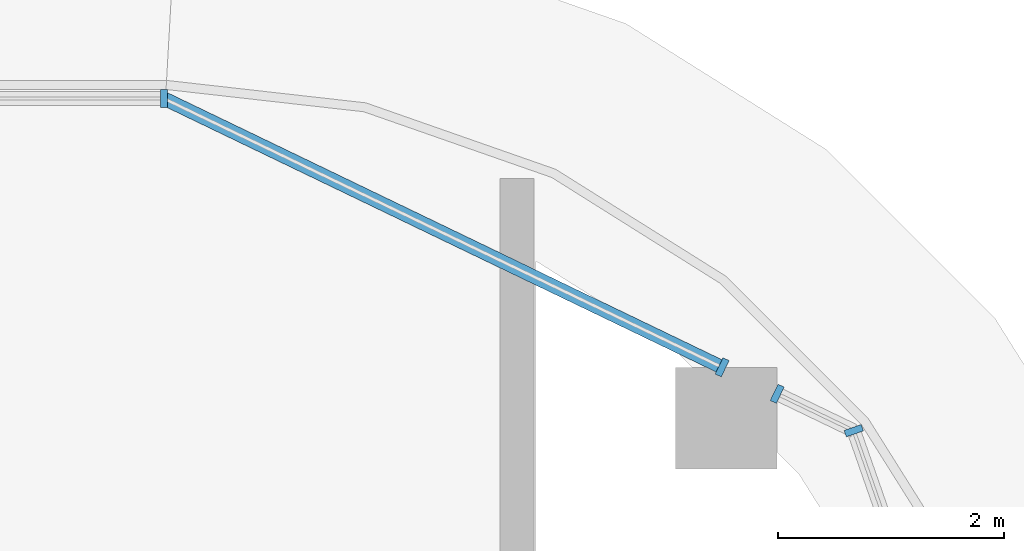
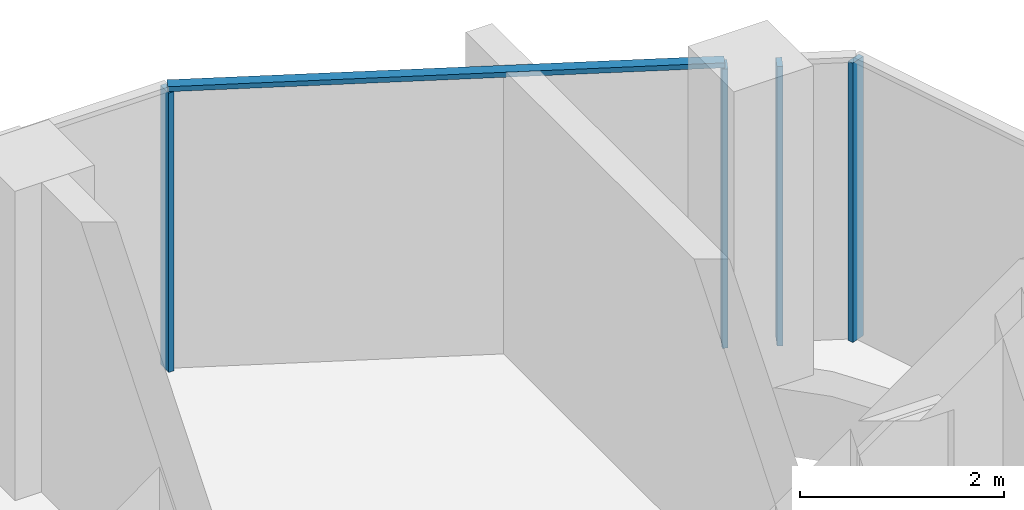
# One storey, part 5 of 22: 5 members, 3 elements without a shape of their own.
"""IFC4 building model written with IfcOpenShell, lengths in metres."""

from ifc_helpers import new_model, si_unit, direction, frame, origin, origin_2d, place, context, subcontext, project, spatial, rectangle, extrude, material, material_profile, profile_set, type_object, element, aggregate, save


model = new_model("IFC4")

# Units and contexts
model_context = context("Model", 3, precision=1e-05, world=origin(), true_north=direction((0.0, 1.0)))
body_context = subcontext(model_context, "Body", "Model", "MODEL_VIEW")
ifc_project = project(units=[si_unit("LENGTHUNIT", "METRE"), si_unit("AREAUNIT", "SQUARE_METRE"), si_unit("VOLUMEUNIT", "CUBIC_METRE"), si_unit("PLANEANGLEUNIT", "RADIAN"), si_unit("MASSUNIT", "GRAM", prefix="KILO")], contexts=[model_context])

# Site, building, storey
site_placement = place(None, origin())
site = spatial("IfcSite", under=ifc_project, at=site_placement, CompositionType="ELEMENT")
building_placement = place(site_placement, origin())
building = spatial("IfcBuilding", under=site, at=building_placement, Name="Ogive Portal Towers", CompositionType="ELEMENT")
storey_placement = place(building_placement, frame((0.0, 0.0, 206.89990234375)))
storey = spatial("IfcBuildingStorey", under=building, at=storey_placement, Name="L51", CompositionType="ELEMENT", Elevation=206.89990234375)

# Curtain wall, member
ifc_material_1 = material(Name="Glass, clear low-iron insulated glazing", Category="glass")
curtain_wall_type = type_object("IfcCurtainWallType", Name="CW FRONT RIBBON 4500", PredefinedType="NOTDEFINED", material=ifc_material_1)
curtain_wall_1_placement = place(storey_placement, origin())
curtain_wall_1 = element("IfcCurtainWall", 1, at=curtain_wall_1_placement, inside=storey, type_object=curtain_wall_type, Name="A:L51:f11:cw0", PredefinedType="NOTDEFINED")
ifc_material_2 = material(Name="Aluminium 6063 anodised", Category="aluminium")
ifc_material_profile_1 = material_profile(ifc_material_2, rectangle(XDim=0.159912109375, YDim=0.06005859375, at=origin_2d()), Name="AL 60x160")
ifc_profile_set_1 = profile_set([ifc_material_profile_1], Name="Aluminium 6063 anodised")
member_type_1 = type_object("IfcMemberType", Name="CW MULLION 60x160", PredefinedType="MULLION", material=ifc_profile_set_1)
member_1_placement = place(storey_placement, frame((87.481689453125, 40.27490234375, 0.0), z_axis=(0.0, 0.0, 1.0), x_axis=(0.0, -1.0, 0.0)))
member_1 = element("IfcMember", 2, at=member_1_placement, type_object=member_type_1, Name="mullion", PredefinedType="MULLION", context=body_context, shape_type="SweptSolid", body=[
    extrude(rectangle(XDim=0.159912109375, YDim=0.06005859375, at=origin_2d()), origin(), (0.0, 0.0, 1.0), 3.340087890625),
])
aggregate(curtain_wall_1, [member_1])

# Curtain wall, members
curtain_wall_2_placement = place(storey_placement, origin())
curtain_wall_2 = element("IfcCurtainWall", 3, at=curtain_wall_2_placement, inside=storey, type_object=curtain_wall_type, Name="A:L51:f09:cwa~0", PredefinedType="NOTDEFINED")
member_2_placement = place(storey_placement, frame((93.57666015625, 37.33984375, 0.0), z_axis=(0.0, 0.0, 1.0), x_axis=(-0.943883330307, -0.33027906196, 0.0)))
member_2 = element("IfcMember", 4, at=member_2_placement, type_object=member_type_1, Name="mullion", PredefinedType="MULLION", context=body_context, shape_type="SweptSolid", body=[
    extrude(rectangle(XDim=0.159912109375, YDim=0.06005859375, at=origin_2d()), origin(), (0.0, 0.0, 1.0), 3.340087890625),
])
member_3_placement = place(storey_placement, frame((92.89990234375, 37.665771484375, 0.0), z_axis=(0.0, 0.0, 1.0), x_axis=(-0.433883739113, -0.900968867905, 0.0)))
member_3 = element("IfcMember", 5, at=member_3_placement, type_object=member_type_1, Name="mullion", PredefinedType="MULLION", context=body_context, shape_type="SweptSolid", body=[
    extrude(rectangle(XDim=0.159912109375, YDim=0.06005859375, at=origin_2d()), origin(), (0.0, 0.0, 1.0), 3.340087890625),
])
aggregate(curtain_wall_2, [member_2, member_3])

curtain_wall_3_placement = place(storey_placement, origin())
curtain_wall_3 = element("IfcCurtainWall", 6, at=curtain_wall_3_placement, inside=storey, type_object=curtain_wall_type, Name="A:L51:f09:cwa~1", PredefinedType="NOTDEFINED")
member_4_placement = place(storey_placement, frame((92.41357421875, 37.89990234375, 0.0), z_axis=(0.0, 0.0, 1.0), x_axis=(-0.433883739113, -0.900968867905, 0.0)))
member_4 = element("IfcMember", 7, at=member_4_placement, type_object=member_type_1, Name="mullion", PredefinedType="MULLION", context=body_context, shape_type="SweptSolid", body=[
    extrude(rectangle(XDim=0.159912109375, YDim=0.06005859375, at=origin_2d()), origin(), (0.0, 0.0, 1.0), 3.340087890625),
])
ifc_material_profile_2 = material_profile(ifc_material_2, rectangle(XDim=0.1201171875, YDim=0.06005859375, at=origin_2d()), Name="AL 120x60")
ifc_profile_set_2 = profile_set([ifc_material_profile_2], Name="Aluminium 6063 anodised")
member_type_2 = type_object("IfcMemberType", Name="CW TRANSOM 60x120", PredefinedType="USERDEFINED", material=ifc_profile_set_2)
member_5_placement = place(storey_placement, frame((92.41357421875, 37.89990234375, 3.3701171875), z_axis=(-0.900973904376, 0.433873280618, 0.0), x_axis=(-0.433873280618, -0.900973904376, 0.0)))
member_5 = element("IfcMember", 8, at=member_5_placement, type_object=member_type_2, Name="transom", ObjectType="TRANSOM", PredefinedType="USERDEFINED", context=body_context, shape_type="SweptSolid", body=[
    extrude(rectangle(XDim=0.1201171875, YDim=0.06005859375, at=origin_2d()), origin(), (0.0, 0.0, 1.0), 5.473876953125),
])
aggregate(curtain_wall_3, [member_5, member_4])

save(model, "model.ifc")
